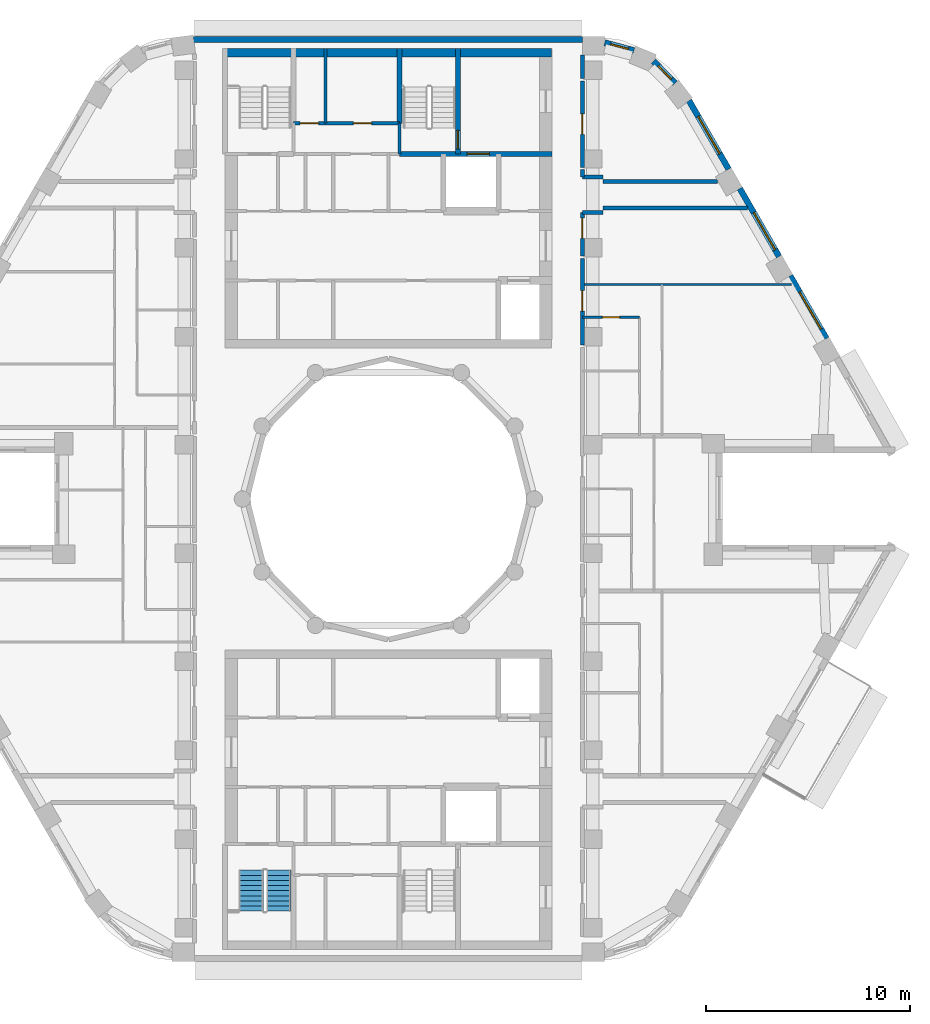
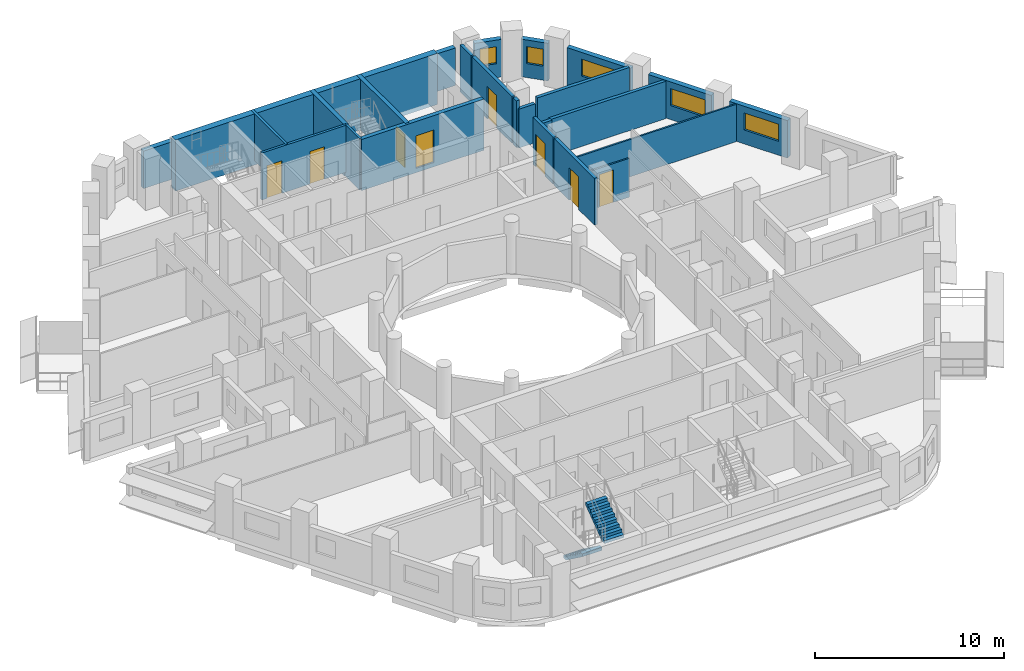
# One storey, part 8 of 14: 24 walls, 8 doors, 5 windows, 2 stair flights, 13 openings, 1 element without a shape of its own.
"""IFC4 building model written with IfcOpenShell, lengths in metres."""

from ifc_helpers import new_model, si_unit, direction, frame, frame_2d, origin, place, context, subcontext, project, spatial, polyline, rectangle, outline, extrude, material, layer, layer_set, type_object, element, fill, aggregate, save


model = new_model("IFC4")

# Units and contexts
model_context = context("Model", 3, precision=1e-05, world=origin(), true_north=direction((0.0, 1.0)))
body_context = subcontext(model_context, "Body", "Model", "MODEL_VIEW")
ifc_project = project(units=[si_unit("LENGTHUNIT", "METRE"), si_unit("AREAUNIT", "SQUARE_METRE"), si_unit("VOLUMEUNIT", "CUBIC_METRE"), si_unit("PLANEANGLEUNIT", "RADIAN"), si_unit("MASSUNIT", "GRAM", prefix="KILO")], contexts=[model_context])

# Site, building, storey
site_placement = place(None, origin())
site = spatial("IfcSite", under=ifc_project, at=site_placement, CompositionType="ELEMENT")
building_placement = place(site_placement, origin())
building = spatial("IfcBuilding", under=site, at=building_placement, Name="Nakaniwa Court", CompositionType="ELEMENT")
storey_placement = place(building_placement, frame((0.0, 0.0, 265.800048828125)))
storey = spatial("IfcBuildingStorey", under=building, at=storey_placement, Name="L70", CompositionType="ELEMENT", Elevation=265.800048828125)

# Wall, opening, door
ifc_material_1 = material(Name="Acoustic double stud partition")
ifc_layer_1 = layer(ifc_material_1, 0.199951171875)
ifc_layer_set_1 = layer_set([ifc_layer_1], Name="Acoustic double stud partition")
wall_type_1 = type_object("IfcWallType", Name="Acoustic double stud partition 200", PredefinedType="PARTITIONING", material=ifc_layer_set_1)
wall_1_placement = place(storey_placement, frame((89.5, 91.77294921875, 0.0), z_axis=(0.0, 0.0, 1.0), x_axis=(0.0, -1.0, 0.0)))
wall_1 = element("IfcWall", 1, at=wall_1_placement, inside=storey, type_object=wall_type_1, Name="Partition PW-063", PredefinedType="PARTITIONING", context=body_context, shape_type="SweptSolid", body=[
    extrude(rectangle(XDim=4.23583984375, YDim=0.199951171875, at=frame_2d((2.117919921875, 0.0))), origin(), (0.0, 0.0, 1.0), 3.02490234375),
])
opening_1_placement = place(wall_1_placement, frame((1.572998046875, 0.0, 0.0)))
opening_1 = element("IfcOpeningElement", 2, at=opening_1_placement, cuts=wall_1, Name="Opening D-01-03", PredefinedType="OPENING", context=body_context, shape_type="SweptSolid", body=[
    extrude(rectangle(XDim=1.0, YDim=2.10009765625, at=frame_2d((0.5, 1.050048828125))), frame((0.0, 0.10986328125, 0.0), z_axis=(0.0, -1.0, 0.0), x_axis=(1.0, 0.0, 0.0)), (0.0, 0.0, 1.0), 0.219970703125),
])
ifc_material_2 = material(Name="Solid core timber door set, black veneer", Category="wood")
door_type_1 = type_object("IfcDoorType", Name="Flat entrance door 1000", OperationType="NOTDEFINED", PredefinedType="DOOR", material=ifc_material_2)
door_1_placement = place(opening_1_placement, origin())
door_1 = element("IfcDoor", 3, at=door_1_placement, inside=storey, type_object=door_type_1, Name="Door D-01-03 L70-037", OperationType="SINGLE_SWING_RIGHT", OverallHeight=2.10009765625, OverallWidth=1.0, PredefinedType="DOOR", context=body_context, shape_type="SweptSolid", body=[
    extrude(rectangle(XDim=1.0, YDim=2.10009765625, at=frame_2d((0.5, 1.050048828125))), frame((0.0, 0.02490234375, 0.0), z_axis=(0.0, -1.0, 0.0), x_axis=(1.0, 0.0, 0.0)), (0.0, 0.0, 1.0), 0.050048828125),
])
fill(opening_1, door_1)

wall_2_placement = place(storey_placement, frame((89.5, 94.028076171875, 0.0), z_axis=(0.0, 0.0, 1.0), x_axis=(0.0, -1.0, 0.0)))
wall_2 = element("IfcWall", 4, at=wall_2_placement, inside=storey, type_object=wall_type_1, Name="Partition PW-064", PredefinedType="PARTITIONING", context=body_context, shape_type="SweptSolid", body=[
    extrude(rectangle(XDim=2.14111328125, YDim=0.199951171875, at=frame_2d((1.070556640625, 0.0))), origin(), (0.0, 0.0, 1.0), 3.02490234375),
])
opening_2_placement = place(wall_2_placement, frame((0.27001953125, 0.0, 0.0)))
opening_2 = element("IfcOpeningElement", 5, at=opening_2_placement, cuts=wall_2, Name="Opening D-02-04", PredefinedType="OPENING", context=body_context, shape_type="SweptSolid", body=[
    extrude(rectangle(XDim=1.0, YDim=2.10009765625, at=frame_2d((0.5, 1.050048828125))), frame((0.0, 0.10986328125, 0.0), z_axis=(0.0, -1.0, 0.0), x_axis=(1.0, 0.0, 0.0)), (0.0, 0.0, 1.0), 0.219970703125),
])
door_type_2 = type_object("IfcDoorType", Name="Internal door 1000", OperationType="NOTDEFINED", PredefinedType="DOOR", material=ifc_material_2)
door_2_placement = place(opening_2_placement, origin())
door_2 = element("IfcDoor", 6, at=door_2_placement, inside=storey, type_object=door_type_2, Name="Door D-02-04 L70-056", OperationType="SINGLE_SWING_LEFT", OverallHeight=2.10009765625, OverallWidth=1.0, PredefinedType="DOOR", context=body_context, shape_type="SweptSolid", body=[
    extrude(rectangle(XDim=1.0, YDim=2.10009765625, at=frame_2d((0.5, 1.050048828125))), frame((0.0, 0.02490234375, 0.0), z_axis=(0.0, -1.0, 0.0), x_axis=(1.0, 0.0, 0.0)), (0.0, 0.0, 1.0), 0.050048828125),
])
fill(opening_2, door_2)

# Wall
wall_3_placement = place(storey_placement, frame((89.5, 95.77197265625, 0.0), z_axis=(0.0, 0.0, 1.0), x_axis=(0.0, 1.0, 0.0)))
element("IfcWall", 7, at=wall_3_placement, inside=storey, type_object=wall_type_1, Name="Partition PW-065", PredefinedType="PARTITIONING", context=body_context, shape_type="SweptSolid", body=[
    extrude(rectangle(XDim=0.35107421875, YDim=0.199951171875, at=frame_2d((0.175537109375, 0.0))), origin(), (0.0, 0.0, 1.0), 3.02490234375),
])

# Wall, opening, door
wall_4_placement = place(storey_placement, frame((89.5, 100.472900390625, 0.0), z_axis=(0.0, 0.0, 1.0), x_axis=(0.0, -1.0, 0.0)))
wall_4 = element("IfcWall", 8, at=wall_4_placement, inside=storey, type_object=wall_type_1, Name="Partition PW-066", PredefinedType="PARTITIONING", context=body_context, shape_type="SweptSolid", body=[
    extrude(rectangle(XDim=4.23583984375, YDim=0.199951171875, at=frame_2d((2.117919921875, 0.0))), origin(), (0.0, 0.0, 1.0), 3.02490234375),
])
opening_3_placement = place(wall_4_placement, frame((1.617919921875, 0.0, 0.0)))
opening_3 = element("IfcOpeningElement", 9, at=opening_3_placement, cuts=wall_4, Name="Opening D-02-05", PredefinedType="OPENING", context=body_context, shape_type="SweptSolid", body=[
    extrude(rectangle(XDim=1.0, YDim=2.10009765625, at=frame_2d((0.5, 1.050048828125))), frame((0.0, 0.10986328125, 0.0), z_axis=(0.0, -1.0, 0.0), x_axis=(1.0, 0.0, 0.0)), (0.0, 0.0, 1.0), 0.219970703125),
])
door_3_placement = place(opening_3_placement, origin())
door_3 = element("IfcDoor", 10, at=door_3_placement, inside=storey, type_object=door_type_2, Name="Door D-02-05 L70-057", OperationType="SINGLE_SWING_RIGHT", OverallHeight=2.10009765625, OverallWidth=1.0, PredefinedType="DOOR", context=body_context, shape_type="SweptSolid", body=[
    extrude(rectangle(XDim=1.0, YDim=2.10009765625, at=frame_2d((0.5, 1.050048828125))), frame((0.0, 0.02490234375, 0.0), z_axis=(0.0, -1.0, 0.0), x_axis=(1.0, 0.0, 0.0)), (0.0, 0.0, 1.0), 0.050048828125),
])
fill(opening_3, door_3)

# Walls
wall_5_placement = place(storey_placement, frame((89.5, 100.5869140625, 0.0), z_axis=(0.0, 0.0, 1.0), x_axis=(0.0, 1.0, 0.0)))
element("IfcWall", 11, at=wall_5_placement, inside=storey, type_object=wall_type_1, Name="Partition PW-067", PredefinedType="PARTITIONING", context=body_context, shape_type="SweptSolid", body=[
    extrude(rectangle(XDim=1.14599609375, YDim=0.199951171875, at=frame_2d((0.572998046875, 0.0))), origin(), (0.0, 0.0, 1.0), 3.02490234375),
])
wall_6_placement = place(storey_placement, frame((90.5, 94.25, 0.0), z_axis=(0.0, 0.0, 1.0), x_axis=(1.0, 0.0, 0.0)))
element("IfcWall", 12, at=wall_6_placement, inside=storey, type_object=wall_type_1, Name="Partition PW-069", PredefinedType="PARTITIONING", context=body_context, shape_type="SweptSolid", body=[
    extrude(rectangle(XDim=7.080322265625, YDim=0.199951171875, at=frame_2d((3.5400390625, 0.0))), origin(), (0.0, 0.0, 1.0), 2.405029296875),
])
for number, where, z_axis, x_axis, name in (
    (13, (89.5, 94.02490234375, 0.0), (0.0, 0.0, 1.0), (1.0, 0.0, 0.0), "Partition PW-071"),
    (14, (89.5, 95.77490234375, 0.0), (0.0, 0.0, 1.0), (1.0, 0.0, 0.0), "Partition PW-073"),
):
    element("IfcWall", number, at=place(storey_placement, frame(where, z_axis=z_axis, x_axis=x_axis)), inside=storey, type_object=wall_type_1, Name=name, PredefinedType="PARTITIONING", context=body_context, shape_type="SweptSolid", body=[
        extrude(rectangle(XDim=1.0, YDim=0.199951171875, at=frame_2d((0.5, 0.0))), origin(), (0.0, 0.0, 1.0), 2.5048828125),
    ])
wall_7_placement = place(storey_placement, frame((90.5, 95.550048828125, 0.0), z_axis=(0.0, 0.0, 1.0), x_axis=(1.0, 0.0, 0.0)))
element("IfcWall", 15, at=wall_7_placement, inside=storey, type_object=wall_type_1, Name="Partition PW-075", PredefinedType="PARTITIONING", context=body_context, shape_type="SweptSolid", body=[
    extrude(rectangle(XDim=5.61669921875, YDim=0.199951171875, at=frame_2d((2.808349609375, 0.0))), origin(), (0.0, 0.0, 1.0), 3.02490234375),
])

# Wall, opening, window
ifc_material_3 = material(Name="Charcoal ceramic cladding")
ifc_layer_2 = layer(ifc_material_3, 0.02, Name="Ceramic cladding")
ifc_material_4 = material(Name="Ventilated air cavity")
ifc_layer_3 = layer(ifc_material_4, 0.04, ventilated=True, Name="Ventilated cavity")
ifc_material_5 = material(Name="Mineral wool insulation")
ifc_layer_4 = layer(ifc_material_5, 0.1, Name="Insulation")
ifc_material_6 = material(Name="Cement bonded sheathing board")
ifc_layer_5 = layer(ifc_material_6, 0.012, Name="Sheathing")
ifc_material_7 = material(Name="Cold-formed galvanised stud frame with mineral wool infill")
ifc_layer_6 = layer(ifc_material_7, 0.1, Name="Stud frame")
ifc_material_8 = material(Name="Fire-rated gypsum plasterboard lining")
ifc_layer_7 = layer(ifc_material_8, 0.028, Name="Lining")
ifc_layer_set_2 = layer_set([ifc_layer_2, ifc_layer_3, ifc_layer_4, ifc_layer_5, ifc_layer_6, ifc_layer_7], Name="Charcoal ceramic faced external wall system")
wall_type_2 = type_object("IfcWallType", Name="Black ceramic faced external wall 300", PredefinedType="SOLIDWALL", material=ifc_layer_set_2)
wall_8_placement = place(storey_placement, frame((101.44580078125, 87.85498046875, 0.0), z_axis=(0.0, 0.0, 1.0), x_axis=(-0.500010404316, 0.866019396766, 0.0)))
wall_8 = element("IfcWall", 16, at=wall_8_placement, inside=storey, type_object=wall_type_2, Name="L70 external wall 03", PredefinedType="SOLIDWALL", context=body_context, shape_type="SweptSolid", body=[
    extrude(rectangle(XDim=3.54736328125, YDim=0.300048828125, at=frame_2d((1.773681640625, 0.0))), origin(), (0.0, 0.0, 1.0), 2.425048828125),
])
opening_4_placement = place(wall_8_placement, frame((0.5380859375, 0.0, 0.89990234375)))
opening_4 = element("IfcOpeningElement", 17, at=opening_4_placement, cuts=wall_8, Name="Opening W7.02", PredefinedType="OPENING", context=body_context, shape_type="SweptSolid", body=[
    extrude(rectangle(XDim=2.10009765625, YDim=1.10009765625, at=frame_2d((1.050048828125, 0.550048828125))), frame((0.0, 0.159912109375, 0.0), z_axis=(0.0, -1.0, 0.0), x_axis=(1.0, 0.0, 0.0)), (0.0, 0.0, 1.0), 0.320068359375),
])
ifc_material_9 = material(Name="Black anodised aluminium frame with dark low-E laminated double glazing", Category="aluminium")
window_type_1 = type_object("IfcWindowType", Name="Dark glass window 2100x1100 sill 900", PartitioningType="SINGLE_PANEL", PredefinedType="WINDOW", material=ifc_material_9)
window_1_placement = place(opening_4_placement, origin())
window_1 = element("IfcWindow", 18, at=window_1_placement, inside=storey, type_object=window_type_1, Name="L70 living window 03-0", OverallHeight=1.10009765625, OverallWidth=2.10009765625, PartitioningType="SINGLE_PANEL", PredefinedType="WINDOW", context=body_context, shape_type="SweptSolid", body=[
    extrude(rectangle(XDim=2.10009765625, YDim=1.10009765625, at=frame_2d((1.050048828125, 0.550048828125))), frame((0.0, 0.030029296875, 0.0), z_axis=(0.0, -1.0, 0.0), x_axis=(1.0, 0.0, 0.0)), (0.0, 0.0, 1.0), 0.06005859375),
])
fill(opening_4, window_1)

wall_9_placement = place(storey_placement, frame((99.126220703125, 91.87255859375, 0.0), z_axis=(0.0, 0.0, 1.0), x_axis=(-0.499984490703, 0.866034357896, 0.0)))
wall_9 = element("IfcWall", 19, at=wall_9_placement, inside=storey, type_object=wall_type_2, Name="L70 external wall 04", PredefinedType="SOLIDWALL", context=body_context, shape_type="SweptSolid", body=[
    extrude(rectangle(XDim=3.84423828125, YDim=0.300048828125, at=frame_2d((1.922119140625, 0.0))), origin(), (0.0, 0.0, 1.0), 2.425048828125),
])
opening_5_placement = place(wall_9_placement, frame((0.3837890625, 0.0, 0.89990234375)))
opening_5 = element("IfcOpeningElement", 20, at=opening_5_placement, cuts=wall_9, Name="Opening W7.03", PredefinedType="OPENING", context=body_context, shape_type="SweptSolid", body=[
    extrude(rectangle(XDim=2.10009765625, YDim=1.10009765625, at=frame_2d((1.050048828125, 0.550048828125))), frame((0.0, 0.159912109375, 0.0), z_axis=(0.0, -1.0, 0.0), x_axis=(1.0, 0.0, 0.0)), (0.0, 0.0, 1.0), 0.320068359375),
])
window_2_placement = place(opening_5_placement, origin())
window_2 = element("IfcWindow", 21, at=window_2_placement, inside=storey, type_object=window_type_1, Name="L70 habitable room window 04-0", OverallHeight=1.10009765625, OverallWidth=2.10009765625, PartitioningType="SINGLE_PANEL", PredefinedType="WINDOW", context=body_context, shape_type="SweptSolid", body=[
    extrude(rectangle(XDim=2.10009765625, YDim=1.10009765625, at=frame_2d((1.050048828125, 0.550048828125))), frame((0.0, 0.030029296875, 0.0), z_axis=(0.0, -1.0, 0.0), x_axis=(1.0, 0.0, 0.0)), (0.0, 0.0, 1.0), 0.06005859375),
])
fill(opening_5, window_2)

wall_10_placement = place(storey_placement, frame((96.657958984375, 96.1474609375, 0.0), z_axis=(0.0, 0.0, 1.0), x_axis=(-0.500011218404, 0.866018926739, 0.0)))
wall_10 = element("IfcWall", 22, at=wall_10_placement, inside=storey, type_object=wall_type_2, Name="L70 external wall 05", PredefinedType="SOLIDWALL", context=body_context, shape_type="SweptSolid", body=[
    extrude(rectangle(XDim=3.87890625, YDim=0.300048828125, at=frame_2d((1.939453125, 0.0))), origin(), (0.0, 0.0, 1.0), 2.425048828125),
])
opening_6_placement = place(wall_10_placement, frame((0.878173828125, 0.0, 0.89990234375)))
opening_6 = element("IfcOpeningElement", 23, at=opening_6_placement, cuts=wall_10, Name="Opening W7.04", PredefinedType="OPENING", context=body_context, shape_type="SweptSolid", body=[
    extrude(rectangle(XDim=2.10009765625, YDim=1.10009765625, at=frame_2d((1.050048828125, 0.550048828125))), frame((0.0, 0.159912109375, 0.0), z_axis=(0.0, -1.0, 0.0), x_axis=(1.0, 0.0, 0.0)), (0.0, 0.0, 1.0), 0.320068359375),
])
window_3_placement = place(opening_6_placement, origin())
window_3 = element("IfcWindow", 24, at=window_3_placement, inside=storey, type_object=window_type_1, Name="L70 habitable room window 05-0", OverallHeight=1.10009765625, OverallWidth=2.10009765625, PartitioningType="SINGLE_PANEL", PredefinedType="WINDOW", context=body_context, shape_type="SweptSolid", body=[
    extrude(rectangle(XDim=2.10009765625, YDim=1.10009765625, at=frame_2d((1.050048828125, 0.550048828125))), frame((0.0, 0.030029296875, 0.0), z_axis=(0.0, -1.0, 0.0), x_axis=(1.0, 0.0, 0.0)), (0.0, 0.0, 1.0), 0.06005859375),
])
fill(opening_6, window_3)

wall_11_placement = place(storey_placement, frame((94.0341796875, 100.3583984375, 0.0), z_axis=(0.0, 0.0, 1.0), x_axis=(-0.698675602211, 0.71543860874, 0.0)))
wall_11 = element("IfcWall", 25, at=wall_11_placement, inside=storey, type_object=wall_type_2, Name="L70 external wall 06", PredefinedType="SOLIDWALL", context=body_context, shape_type="SweptSolid", body=[
    extrude(rectangle(XDim=1.5, YDim=0.300048828125, at=frame_2d((0.75, 0.0))), origin(), (0.0, 0.0, 1.0), 2.425048828125),
])
opening_7_placement = place(wall_11_placement, frame((0.27587890625, 0.0, 0.89990234375)))
opening_7 = element("IfcOpeningElement", 26, at=opening_7_placement, cuts=wall_11, Name="Opening W9.05", PredefinedType="OPENING", context=body_context, shape_type="SweptSolid", body=[
    extrude(rectangle(XDim=0.89990234375, YDim=1.10009765625, at=frame_2d((0.449951171875, 0.550048828125))), frame((0.0, 0.159912109375, 0.0), z_axis=(0.0, -1.0, 0.0), x_axis=(1.0, 0.0, 0.0)), (0.0, 0.0, 1.0), 0.320068359375),
])
window_type_2 = type_object("IfcWindowType", Name="Dark glass window 900x1100 sill 900", PartitioningType="SINGLE_PANEL", PredefinedType="WINDOW", material=ifc_material_9)
window_4_placement = place(opening_7_placement, origin())
window_4 = element("IfcWindow", 27, at=window_4_placement, inside=storey, type_object=window_type_2, Name="L70 habitable room window 06-0", OverallHeight=1.10009765625, OverallWidth=0.89990234375, PartitioningType="SINGLE_PANEL", PredefinedType="WINDOW", context=body_context, shape_type="SweptSolid", body=[
    extrude(rectangle(XDim=0.89990234375, YDim=1.10009765625, at=frame_2d((0.449951171875, 0.550048828125))), frame((0.0, 0.030029296875, 0.0), z_axis=(0.0, -1.0, 0.0), x_axis=(1.0, 0.0, 0.0)), (0.0, 0.0, 1.0), 0.06005859375),
])
fill(opening_7, window_4)

wall_12_placement = place(storey_placement, frame((92.02099609375, 101.956298828125, 0.0), z_axis=(0.0, 0.0, 1.0), x_axis=(-0.965392564919, 0.260801065181, 0.0)))
wall_12 = element("IfcWall", 28, at=wall_12_placement, inside=storey, type_object=wall_type_2, Name="L70 external wall 07", PredefinedType="SOLIDWALL", context=body_context, shape_type="SweptSolid", body=[
    extrude(rectangle(XDim=1.48095703125, YDim=0.300048828125, at=frame_2d((0.740478515625, 0.0))), origin(), (0.0, 0.0, 1.0), 2.425048828125),
])
opening_8_placement = place(wall_12_placement, frame((0.280029296875, 0.0, 0.89990234375)))
opening_8 = element("IfcOpeningElement", 29, at=opening_8_placement, cuts=wall_12, Name="Opening W9.06", PredefinedType="OPENING", context=body_context, shape_type="SweptSolid", body=[
    extrude(rectangle(XDim=0.89990234375, YDim=1.10009765625, at=frame_2d((0.449951171875, 0.550048828125))), frame((0.0, 0.159912109375, 0.0), z_axis=(0.0, -1.0, 0.0), x_axis=(1.0, 0.0, 0.0)), (0.0, 0.0, 1.0), 0.320068359375),
])
window_5_placement = place(opening_8_placement, origin())
window_5 = element("IfcWindow", 30, at=window_5_placement, inside=storey, type_object=window_type_2, Name="L70 habitable room window 07-0", OverallHeight=1.10009765625, OverallWidth=0.89990234375, PartitioningType="SINGLE_PANEL", PredefinedType="WINDOW", context=body_context, shape_type="SweptSolid", body=[
    extrude(rectangle(XDim=0.89990234375, YDim=1.10009765625, at=frame_2d((0.449951171875, 0.550048828125))), frame((0.0, 0.030029296875, 0.0), z_axis=(0.0, -1.0, 0.0), x_axis=(1.0, 0.0, 0.0)), (0.0, 0.0, 1.0), 0.06005859375),
])
fill(opening_8, window_5)

# Wall
wall_13_placement = place(storey_placement, frame((89.499267578125, 102.5, 0.0), z_axis=(0.0, 0.0, 1.0), x_axis=(-1.0, 0.0, 0.0)))
element("IfcWall", 31, at=wall_13_placement, inside=storey, type_object=wall_type_2, Name="L70 external wall 08", PredefinedType="SOLIDWALL", context=body_context, shape_type="SweptSolid", body=[
    extrude(rectangle(XDim=19.033447265625, YDim=0.300048828125, at=frame_2d((9.5166015625, 0.0))), origin(), (0.0, 0.0, 1.0), 2.425048828125),
])

# Wall, openings, doors
ifc_material_10 = material(Name="Blockwork partition", Category="masonry")
ifc_layer_8 = layer(ifc_material_10, 0.14990234375)
ifc_layer_set_3 = layer_set([ifc_layer_8], Name="Blockwork partition")
wall_type_3 = type_object("IfcWallType", Name="Blockwork partition 150", PredefinedType="PARTITIONING", material=ifc_layer_set_3)
wall_14_placement = place(storey_placement, frame((75.35009765625, 98.39990234375, 0.0), z_axis=(0.0, 0.0, 1.0), x_axis=(1.0, 0.0, 0.0)))
wall_14 = element("IfcWall", 32, at=wall_14_placement, inside=storey, type_object=wall_type_3, Name="Partition PW-027", PredefinedType="PARTITIONING", context=body_context, shape_type="SweptSolid", body=[
    extrude(rectangle(XDim=5.199951171875, YDim=0.14990234375, at=frame_2d((2.60009765625, 0.0))), origin(), (0.0, 0.0, 1.0), 3.02490234375),
])
opening_9_placement = place(wall_14_placement, frame((0.330078125, 0.0, 0.0)))
opening_9 = element("IfcOpeningElement", 33, at=opening_9_placement, cuts=wall_14, Name="Opening D-05-08", PredefinedType="OPENING", context=body_context, shape_type="SweptSolid", body=[
    extrude(rectangle(XDim=0.89990234375, YDim=2.10009765625, at=frame_2d((0.449951171875, 1.050048828125))), frame((0.0, 0.0849609375, 0.0), z_axis=(0.0, -1.0, 0.0), x_axis=(1.0, 0.0, 0.0)), (0.0, 0.0, 1.0), 0.169921875),
])
opening_10_placement = place(wall_14_placement, frame((2.929931640625, 0.0, 0.0)))
opening_10 = element("IfcOpeningElement", 34, at=opening_10_placement, cuts=wall_14, Name="Opening D-05-09", PredefinedType="OPENING", context=body_context, shape_type="SweptSolid", body=[
    extrude(rectangle(XDim=0.89990234375, YDim=2.10009765625, at=frame_2d((0.449951171875, 1.050048828125))), frame((0.0, 0.0849609375, 0.0), z_axis=(0.0, -1.0, 0.0), x_axis=(1.0, 0.0, 0.0)), (0.0, 0.0, 1.0), 0.169921875),
])
ifc_material_11 = material(Name="Fire rated steel door set", Category="steel")
door_type_3 = type_object("IfcDoorType", Name="Service room door 900", OperationType="NOTDEFINED", PredefinedType="DOOR", material=ifc_material_11)
door_4_placement = place(opening_9_placement, origin())
door_4 = element("IfcDoor", 35, at=door_4_placement, inside=storey, type_object=door_type_3, Name="Door D-05-08 L70-011", OperationType="SINGLE_SWING_RIGHT", OverallHeight=2.10009765625, OverallWidth=0.89990234375, PredefinedType="DOOR", context=body_context, shape_type="SweptSolid", body=[
    extrude(rectangle(XDim=0.89990234375, YDim=2.10009765625, at=frame_2d((0.449951171875, 1.050048828125))), frame((0.0, 0.02490234375, 0.0), z_axis=(0.0, -1.0, 0.0), x_axis=(1.0, 0.0, 0.0)), (0.0, 0.0, 1.0), 0.050048828125),
])
fill(opening_9, door_4)
door_5_placement = place(opening_10_placement, origin())
door_5 = element("IfcDoor", 36, at=door_5_placement, inside=storey, type_object=door_type_3, Name="Door D-05-09 L70-012", OperationType="SINGLE_SWING_LEFT", OverallHeight=2.10009765625, OverallWidth=0.89990234375, PredefinedType="DOOR", context=body_context, shape_type="SweptSolid", body=[
    extrude(rectangle(XDim=0.89990234375, YDim=2.10009765625, at=frame_2d((0.449951171875, 1.050048828125))), frame((0.0, 0.02490234375, 0.0), z_axis=(0.0, -1.0, 0.0), x_axis=(1.0, 0.0, 0.0)), (0.0, 0.0, 1.0), 0.050048828125),
])
fill(opening_10, door_5)

# Walls
wall_15_placement = place(storey_placement, frame((76.909912109375, 98.39990234375, 0.0), z_axis=(0.0, 0.0, 1.0), x_axis=(0.0, 1.0, 0.0)))
element("IfcWall", 37, at=wall_15_placement, inside=storey, type_object=wall_type_3, Name="Partition PW-028", PredefinedType="PARTITIONING", context=body_context, shape_type="SweptSolid", body=[
    extrude(rectangle(XDim=3.650146484375, YDim=0.14990234375, at=frame_2d((1.8251953125, 0.0))), origin(), (0.0, 0.0, 1.0), 3.02490234375),
])
ifc_material_12 = material(Name="Concrete C80/100", Category="concrete")
ifc_layer_9 = layer(ifc_material_12, 0.14990234375)
ifc_layer_set_4 = layer_set([ifc_layer_9], Name="Concrete C80/100")
wall_type_4 = type_object("IfcWallType", Name="Concrete core wall 150 C80", PredefinedType="SHEAR", material=ifc_layer_set_4)
wall_16_placement = place(storey_placement, frame((80.550048828125, 96.89990234375, -0.275146484375), z_axis=(0.0, 0.0, 1.0), x_axis=(0.0, 1.0, 0.0)))
element("IfcWall", 38, at=wall_16_placement, inside=storey, type_object=wall_type_4, Name="Core wall SW-25", PredefinedType="SHEAR", context=body_context, shape_type="SweptSolid", body=[
    extrude(rectangle(XDim=1.503173828125, YDim=0.14990234375, at=frame_2d((0.75146484375, 0.0))), origin(), (0.0, 0.0, 1.0), 3.300048828125),
])
ifc_layer_10 = layer(ifc_material_12, 0.39990234375)
ifc_layer_set_5 = layer_set([ifc_layer_10], Name="Concrete C80/100")
wall_type_5 = type_object("IfcWallType", Name="Concrete core wall 400 C80", PredefinedType="SHEAR", material=ifc_layer_set_5)
wall_17_placement = place(storey_placement, frame((72.00390625, 101.85009765625, -0.275146484375), z_axis=(0.0, 0.0, 1.0), x_axis=(1.0, 0.0, 0.0)))
element("IfcWall", 39, at=wall_17_placement, inside=storey, type_object=wall_type_5, Name="Core wall SW-127", PredefinedType="SHEAR", context=body_context, shape_type="SweptSolid", body=[
    extrude(rectangle(XDim=15.9921875, YDim=0.39990234375, at=frame_2d((7.99609375, 0.0))), origin(), (0.0, 0.0, 1.0), 3.300048828125),
])

# Wall, opening, door
ifc_layer_11 = layer(ifc_material_12, 0.25)
ifc_layer_set_6 = layer_set([ifc_layer_11], Name="Concrete C80/100")
wall_type_6 = type_object("IfcWallType", Name="Concrete shaft wall 250 C80", PredefinedType="SHEAR", material=ifc_layer_set_6)
wall_18_placement = place(storey_placement, frame((80.547119140625, 96.89990234375, -0.275146484375), z_axis=(0.0, 0.0, 1.0), x_axis=(1.0, 0.0, 0.0)))
wall_18 = element("IfcWall", 40, at=wall_18_placement, inside=storey, type_object=wall_type_6, Name="Core wall SW-17", PredefinedType="SHEAR", context=body_context, shape_type="SweptSolid", body=[
    extrude(rectangle(XDim=7.452880859375, YDim=0.25, at=frame_2d((3.7265625, 0.0))), origin(), (0.0, 0.0, 1.0), 3.300048828125),
])
opening_11_placement = place(wall_18_placement, frame((3.302001953125, 0.0, 0.27490234375)))
opening_11 = element("IfcOpeningElement", 41, at=opening_11_placement, cuts=wall_18, Name="Opening LD02", PredefinedType="OPENING", context=body_context, shape_type="SweptSolid", body=[
    extrude(rectangle(XDim=1.10009765625, YDim=2.10009765625, at=frame_2d((0.550048828125, 1.050048828125))), frame((0.0, 0.135009765625, 0.0), z_axis=(0.0, -1.0, 0.0), x_axis=(1.0, 0.0, 0.0)), (0.0, 0.0, 1.0), 0.27001953125),
])
ifc_material_13 = material(Name="Stainless steel sliding lift landing door", Category="steel")
door_type_4 = type_object("IfcDoorType", Name="Lift landing door 1100", OperationType="NOTDEFINED", PredefinedType="DOOR", material=ifc_material_13)
door_6_placement = place(opening_11_placement, origin())
door_6 = element("IfcDoor", 42, at=door_6_placement, inside=storey, type_object=door_type_4, Name="Lift landing door LD02 L70-002", OperationType="SLIDING_TO_LEFT", OverallHeight=2.10009765625, OverallWidth=1.10009765625, PredefinedType="DOOR", context=body_context, shape_type="SweptSolid", body=[
    extrude(rectangle(XDim=1.10009765625, YDim=2.10009765625, at=frame_2d((0.550048828125, 1.050048828125))), frame((0.0, 0.02490234375, 0.0), z_axis=(0.0, -1.0, 0.0), x_axis=(1.0, 0.0, 0.0)), (0.0, 0.0, 1.0), 0.050048828125),
])
fill(opening_11, door_6)

wall_19_placement = place(storey_placement, frame((83.39990234375, 102.050048828125, -0.275146484375), z_axis=(0.0, 0.0, 1.0), x_axis=(0.0, -1.0, 0.0)))
wall_19 = element("IfcWall", 43, at=wall_19_placement, inside=storey, type_object=wall_type_6, Name="Core wall SW-24", PredefinedType="SHEAR", context=body_context, shape_type="SweptSolid", body=[
    extrude(rectangle(XDim=5.150146484375, YDim=0.25, at=frame_2d((2.5751953125, 0.0))), origin(), (0.0, 0.0, 1.0), 3.300048828125),
])
opening_12_placement = place(wall_19_placement, frame((4.0, 0.0, 0.27490234375)))
opening_12 = element("IfcOpeningElement", 44, at=opening_12_placement, cuts=wall_19, Name="Opening D-11-01", PredefinedType="OPENING", context=body_context, shape_type="SweptSolid", body=[
    extrude(rectangle(XDim=0.89990234375, YDim=2.10009765625, at=frame_2d((0.449951171875, 1.050048828125))), frame((0.0, 0.135009765625, 0.0), z_axis=(0.0, -1.0, 0.0), x_axis=(1.0, 0.0, 0.0)), (0.0, 0.0, 1.0), 0.27001953125),
])
door_type_5 = type_object("IfcDoorType", Name="Stair door 900", OperationType="NOTDEFINED", PredefinedType="DOOR", material=ifc_material_11)
door_7_placement = place(opening_12_placement, origin())
door_7 = element("IfcDoor", 45, at=door_7_placement, inside=storey, type_object=door_type_5, Name="Door D-11-01 L70-014", OperationType="SINGLE_SWING_RIGHT", OverallHeight=2.10009765625, OverallWidth=0.89990234375, PredefinedType="DOOR", context=body_context, shape_type="SweptSolid", body=[
    extrude(rectangle(XDim=0.89990234375, YDim=2.10009765625, at=frame_2d((0.449951171875, 1.050048828125))), frame((0.0, 0.02490234375, 0.0), z_axis=(0.0, -1.0, 0.0), x_axis=(1.0, 0.0, 0.0)), (0.0, 0.0, 1.0), 0.050048828125),
])
fill(opening_12, door_7)

# Wall
wall_20_placement = place(storey_placement, frame((80.550048828125, 98.39697265625, -0.275146484375), z_axis=(0.0, 0.0, 1.0), x_axis=(0.0, 1.0, 0.0)))
element("IfcWall", 46, at=wall_20_placement, inside=storey, type_object=wall_type_6, Name="Core wall SW-26", PredefinedType="SHEAR", context=body_context, shape_type="SweptSolid", body=[
    extrude(rectangle(XDim=3.653076171875, YDim=0.25, at=frame_2d((1.82666015625, 0.0))), origin(), (0.0, 0.0, 1.0), 3.300048828125),
])

# Wall, opening, door
ifc_material_14 = material(Name="Single stud plasterboard partition")
ifc_layer_12 = layer(ifc_material_14, 0.10009765625)
ifc_layer_set_7 = layer_set([ifc_layer_12], Name="Single stud plasterboard partition")
wall_type_7 = type_object("IfcWallType", Name="Single stud plasterboard partition 100", PredefinedType="PARTITIONING", material=ifc_layer_set_7)
wall_21_placement = place(storey_placement, frame((92.300048828125, 88.89990234375, 0.0), z_axis=(0.0, 0.0, 1.0), x_axis=(-1.0, 0.0, 0.0)))
wall_21 = element("IfcWall", 47, at=wall_21_placement, inside=storey, type_object=wall_type_7, Name="Partition PW-110", PredefinedType="PARTITIONING", context=body_context, shape_type="SweptSolid", body=[
    extrude(rectangle(XDim=2.800048828125, YDim=0.10009765625, at=frame_2d((1.39990234375, 0.0))), origin(), (0.0, 0.0, 1.0), 2.5048828125),
])
opening_13_placement = place(wall_21_placement, frame((0.97509765625, 0.0, 0.0)))
opening_13 = element("IfcOpeningElement", 48, at=opening_13_placement, cuts=wall_21, Name="Opening D-03-03", PredefinedType="OPENING", context=body_context, shape_type="SweptSolid", body=[
    extrude(rectangle(XDim=0.85009765625, YDim=2.10009765625, at=frame_2d((0.425048828125, 1.050048828125))), frame((0.0, 0.06005859375, 0.0), z_axis=(0.0, -1.0, 0.0), x_axis=(1.0, 0.0, 0.0)), (0.0, 0.0, 1.0), 0.1201171875),
])
ifc_material_15 = material(Name="Moisture sealed timber door set", Category="wood")
door_type_6 = type_object("IfcDoorType", Name="Bathroom door 850", OperationType="NOTDEFINED", PredefinedType="DOOR", material=ifc_material_15)
door_8_placement = place(opening_13_placement, origin())
door_8 = element("IfcDoor", 49, at=door_8_placement, inside=storey, type_object=door_type_6, Name="Door D-03-03 L70-039", OperationType="SINGLE_SWING_RIGHT", OverallHeight=2.10009765625, OverallWidth=0.85009765625, PredefinedType="DOOR", context=body_context, shape_type="SweptSolid", body=[
    extrude(rectangle(XDim=0.85009765625, YDim=2.10009765625, at=frame_2d((0.425048828125, 1.050048828125))), frame((0.0, 0.02490234375, 0.0), z_axis=(0.0, -1.0, 0.0), x_axis=(1.0, 0.0, 0.0)), (0.0, 0.0, 1.0), 0.050048828125),
])
fill(opening_13, door_8)

# Wall
wall_22_placement = place(storey_placement, frame((89.5, 90.5, 0.0), z_axis=(0.0, 0.0, 1.0), x_axis=(1.0, 0.0, 0.0)))
element("IfcWall", 50, at=wall_22_placement, inside=storey, type_object=wall_type_7, Name="Partition PW-111", PredefinedType="PARTITIONING", context=body_context, shape_type="SweptSolid", body=[
    extrude(rectangle(XDim=10.245361328125, YDim=0.10009765625, at=frame_2d((5.12255859375, 0.0))), origin(), (0.0, 0.0, 1.0), 2.405029296875),
])

# Stair, stair flights
stair_type = type_object("IfcStairType", Name="Dog leg stair 1200 wide 18 risers", PredefinedType="HALF_TURN_STAIR", material=ifc_material_12)
stair_placement = place(storey_placement, origin())
stair = element("IfcStair", 51, at=stair_placement, inside=storey, type_object=stair_type, Name="L70 Stair ST3", PredefinedType="HALF_TURN_STAIR")
stair_flight_type = type_object("IfcStairFlightType", Name="Stair flight 1200 wide 9 risers", PredefinedType="STRAIGHT", material=ifc_material_12)
stair_flight_1_placement = place(storey_placement, frame((73.27490234375, 61.824951171875, 0.0), z_axis=(0.0, 0.0, 1.0), x_axis=(0.0, -1.0, 0.0)))
stair_flight_1 = element("IfcStairFlight", 52, at=stair_flight_1_placement, type_object=stair_flight_type, Name="ST3 flight 1", NumberOfRisers=9, NumberOfTreads=8, PredefinedType="STRAIGHT", RiserHeight=0.183333333, TreadLength=0.25, context=body_context, shape_type="SweptSolid", body=[
    extrude(outline(polyline([(0.0, 0.0), (0.0, 0.026123046875), (0.0, 0.052490234375), (0.0, 0.07861328125), (0.0, 0.104736328125), (0.0, 0.130859375), (0.0, 0.1572265625), (0.0, 0.183349609375), (0.25, 0.183349609375), (0.25, 0.36669921875), (0.5, 0.36669921875), (0.5, 0.550048828125), (0.75, 0.550048828125), (0.75, 0.7333984375), (1.0, 0.7333984375), (1.0, 0.916748046875), (1.25, 0.916748046875), (1.25, 1.10009765625), (1.5, 1.10009765625), (1.5, 1.283447265625), (1.75, 1.283447265625), (1.75, 1.466552734375), (2.0, 1.466552734375), (2.0, 1.64990234375), (2.0, 1.59716796875), (2.0, 1.54443359375), (2.0, 1.49169921875), (2.0, 1.43896484375), (2.0, 1.38623046875), (2.0, 1.33349609375), (2.0, 1.28076171875), (0.25341796875, 0.0), (0.0, 0.0)])), frame((0.0, 0.60009765625, 0.0), z_axis=(0.0, -1.0, 0.0), x_axis=(1.0, 0.0, 0.0)), (0.0, 0.0, 1.0), 1.199951171875),
])
stair_flight_2_placement = place(storey_placement, frame((74.625, 59.824951171875, 1.64990234375), z_axis=(0.0, 0.0, 1.0), x_axis=(0.0, 1.0, 0.0)))
stair_flight_2 = element("IfcStairFlight", 53, at=stair_flight_2_placement, type_object=stair_flight_type, Name="ST3 flight 2", NumberOfRisers=9, NumberOfTreads=8, PredefinedType="STRAIGHT", RiserHeight=0.183333333, TreadLength=0.25, context=body_context, shape_type="SweptSolid", body=[
    extrude(outline(polyline([(0.0, 0.0), (0.0, 0.026123046875), (0.0, 0.052490234375), (0.0, 0.07861328125), (0.0, 0.104736328125), (0.0, 0.130859375), (0.0, 0.1572265625), (0.0, 0.183349609375), (0.25, 0.183349609375), (0.25, 0.36669921875), (0.5, 0.36669921875), (0.5, 0.550048828125), (0.75, 0.550048828125), (0.75, 0.7333984375), (1.0, 0.7333984375), (1.0, 0.916748046875), (1.25, 0.916748046875), (1.25, 1.10009765625), (1.5, 1.10009765625), (1.5, 1.283447265625), (1.75, 1.283447265625), (1.75, 1.466552734375), (2.0, 1.466552734375), (2.0, 1.64990234375), (2.0, 1.59716796875), (2.0, 1.54443359375), (2.0, 1.49169921875), (2.0, 1.43896484375), (2.0, 1.38623046875), (2.0, 1.33349609375), (2.0, 1.28076171875), (0.25341796875, 0.0), (0.0, 0.0)])), frame((0.0, 0.60009765625, 0.0), z_axis=(0.0, -1.0, 0.0), x_axis=(1.0, 0.0, 0.0)), (0.0, 0.0, 1.0), 1.199951171875),
])
aggregate(stair, [stair_flight_1, stair_flight_2])

save(model, "model.ifc")
